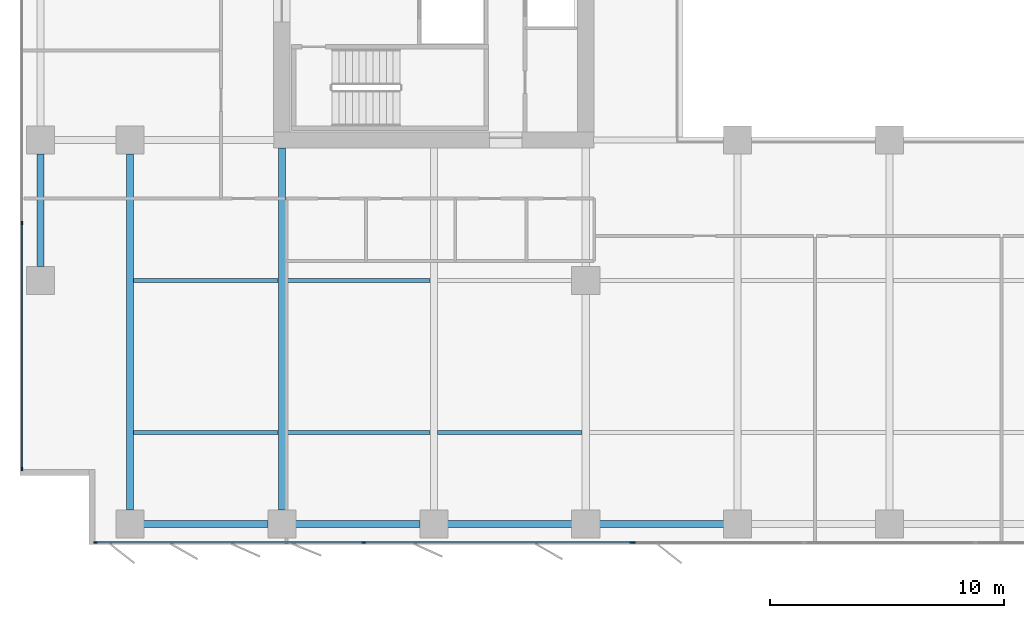
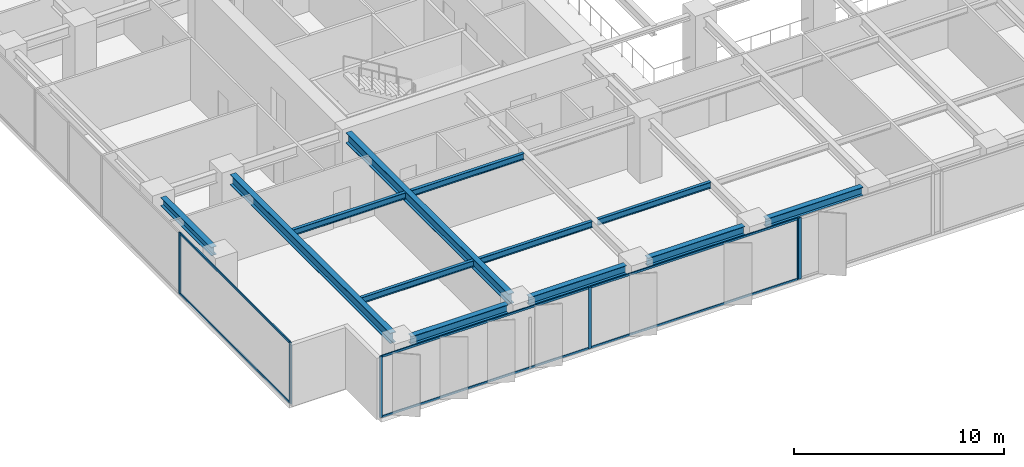
# One storey, part 2 of 20: 12 beams, 12 members, 3 elements without a shape of their own.
"""IFC4 building model written with IfcOpenShell, lengths in metres."""

from ifc_helpers import new_model, si_unit, direction, frame, origin, origin_2d, place, context, subcontext, project, spatial, rectangle, i_section, extrude, material, layer, layer_set, material_profile, profile_set, type_object, element, aggregate, save


model = new_model("IFC4")

# Units and contexts
model_context = context("Model", 3, precision=1e-05, world=origin(), true_north=direction((0.0, 1.0)))
body_context = subcontext(model_context, "Body", "Model", "MODEL_VIEW")
ifc_project = project(units=[si_unit("LENGTHUNIT", "METRE"), si_unit("AREAUNIT", "SQUARE_METRE"), si_unit("VOLUMEUNIT", "CUBIC_METRE"), si_unit("PLANEANGLEUNIT", "RADIAN"), si_unit("MASSUNIT", "GRAM", prefix="KILO")], contexts=[model_context])

# Site, building, storey
site_placement = place(None, origin())
site = spatial("IfcSite", under=ifc_project, at=site_placement, CompositionType="ELEMENT")
building_placement = place(site_placement, origin())
building = spatial("IfcBuilding", under=site, at=building_placement, Name="Putna Gate Headquarters", CompositionType="ELEMENT")
storey_placement = place(building_placement, frame((0.0, 0.0, 116.39990234375)))
storey = spatial("IfcBuildingStorey", under=building, at=storey_placement, Name="L28", CompositionType="ELEMENT", Elevation=116.39990234375)

# Beams
ifc_material_1 = material(Name="Steel S355J2", Category="steel")
ifc_material_profile_1 = material_profile(ifc_material_1, i_section(OverallWidth=0.300048828125, OverallDepth=0.60009765625, WebThickness=0.015380859375, FlangeThickness=0.030029296875, at=origin_2d()), Name="Steel S355J2")
ifc_profile_set_1 = profile_set([ifc_material_profile_1], Name="Steel S355J2")
beam_type_1 = type_object("IfcBeamType", Name="BM-GIRD-Z2-HEB600", PredefinedType="USERDEFINED", material=ifc_profile_set_1)
beam_1_placement = place(storey_placement, frame((6.5, 3.16796875, 3.26513671875), z_axis=(0.0, 1.0, 0.0), x_axis=(-1.0, 0.0, 0.0)))
element("IfcBeam", 1, at=beam_1_placement, inside=storey, type_object=beam_type_1, Name="L28 South Primary Girder X6", ObjectType="GIRDER", PredefinedType="USERDEFINED", context=body_context, shape_type="SweptSolid", body=[
    extrude(i_section(OverallWidth=0.300048828125, OverallDepth=0.60009765625, WebThickness=0.015380859375, FlangeThickness=0.030029296875, at=origin_2d()), origin(), (0.0, 0.0, 1.0), 15.244140625),
])
beam_2_placement = place(storey_placement, frame((13.0, 3.16796875, 3.26513671875), z_axis=(0.0, 1.0, 0.0), x_axis=(-1.0, 0.0, 0.0)))
element("IfcBeam", 2, at=beam_2_placement, inside=storey, type_object=beam_type_1, Name="L28 South Primary Girder X13", ObjectType="GIRDER", PredefinedType="USERDEFINED", context=body_context, shape_type="SweptSolid", body=[
    extrude(i_section(OverallWidth=0.300048828125, OverallDepth=0.60009765625, WebThickness=0.015380859375, FlangeThickness=0.030029296875, at=origin_2d()), origin(), (0.0, 0.0, 1.0), 15.4970703125),
])
ifc_material_profile_2 = material_profile(ifc_material_1, i_section(OverallWidth=0.169921875, OverallDepth=0.360107421875, WebThickness=0.008056640625, FlangeThickness=0.0126953125, at=origin_2d()), Name="Steel S355J2")
ifc_profile_set_2 = profile_set([ifc_material_profile_2], Name="Steel S355J2")
beam_type_2 = type_object("IfcBeamType", Name="BM-SEC-Z2-IPE360", PredefinedType="BEAM", material=ifc_profile_set_2)
for number, where, z_axis, x_axis, name in (
    (3, (6.654052734375, 6.5, 3.385009765625), (1.0, 0.0, 0.0), (0.0, 1.0, 0.0), "L28 South Secondary Beam 1"),
    (4, (6.654052734375, 13.0, 3.385009765625), (1.0, 0.0, 0.0), (0.0, 1.0, 0.0), "L28 South Secondary Beam 1"),
    (5, (13.154052734375, 6.5, 3.385009765625), (1.0, 0.0, 0.0), (0.0, 1.0, 0.0), "L28 South Secondary Beam 2"),
    (6, (13.154052734375, 13.0, 3.385009765625), (1.0, 0.0, 0.0), (0.0, 1.0, 0.0), "L28 South Secondary Beam 2"),
    (7, (19.654052734375, 6.5, 3.385009765625), (1.0, 0.0, 0.0), (0.0, 1.0, 0.0), "L28 South Secondary Beam 3"),
):
    element("IfcBeam", number, at=place(storey_placement, frame(where, z_axis=z_axis, x_axis=x_axis)), inside=storey, type_object=beam_type_2, Name=name, PredefinedType="BEAM", context=body_context, shape_type="SweptSolid", body=[
        extrude(i_section(OverallWidth=0.169921875, OverallDepth=0.360107421875, WebThickness=0.008056640625, FlangeThickness=0.0126953125, at=origin_2d()), origin(), (0.0, 0.0, 1.0), 6.19189453125),
    ])
ifc_material_profile_3 = material_profile(ifc_material_1, i_section(OverallWidth=0.300048828125, OverallDepth=0.489990234375, WebThickness=0.011962890625, FlangeThickness=0.02294921875, at=origin_2d()), Name="Steel S355J2")
ifc_profile_set_3 = profile_set([ifc_material_profile_3], Name="Steel S355J2")
beam_type_3 = type_object("IfcBeamType", Name="BM-SPAN-Z2-HEA500", PredefinedType="SPANDREL", material=ifc_profile_set_3)
for number, where, z_axis, x_axis, name in (
    (8, (7.087890625, 2.580078125, 3.320068359375), (1.0, 0.0, 0.0), (0.0, 1.0, 0.0), "L28 S Perimeter Spandrel 1"),
    (9, (13.587890625, 2.580078125, 3.320068359375), (1.0, 0.0, 0.0), (0.0, 1.0, 0.0), "L28 S Perimeter Spandrel 2"),
    (10, (20.087890625, 2.580078125, 3.320068359375), (1.0, 0.0, 0.0), (0.0, 1.0, 0.0), "L28 S Perimeter Spandrel 3"),
    (11, (26.587890625, 2.580078125, 3.320068359375), (1.0, 0.0, 0.0), (0.0, 1.0, 0.0), "L28 S Perimeter Spandrel 4"),
):
    element("IfcBeam", number, at=place(storey_placement, frame(where, z_axis=z_axis, x_axis=x_axis)), inside=storey, type_object=beam_type_3, Name=name, PredefinedType="SPANDREL", context=body_context, shape_type="SweptSolid", body=[
        extrude(i_section(OverallWidth=0.300048828125, OverallDepth=0.489990234375, WebThickness=0.011962890625, FlangeThickness=0.02294921875, at=origin_2d()), origin(), (0.0, 0.0, 1.0), 5.32421875),
    ])
beam_3_placement = place(storey_placement, frame((2.679931640625, 13.587890625, 3.320068359375), z_axis=(0.0, 1.0, 0.0), x_axis=(-1.0, 0.0, 0.0)))
element("IfcBeam", 12, at=beam_3_placement, inside=storey, type_object=beam_type_3, Name="L28 W End Spandrel 1", PredefinedType="SPANDREL", context=body_context, shape_type="SweptSolid", body=[
    extrude(i_section(OverallWidth=0.300048828125, OverallDepth=0.489990234375, WebThickness=0.011962890625, FlangeThickness=0.02294921875, at=origin_2d()), origin(), (0.0, 0.0, 1.0), 4.82421875),
])

# Curtain wall, members
ifc_material_2 = material(Name="Anodised bronze aluminium curtain wall", Category="aluminium")
ifc_layer_1 = layer(ifc_material_2, 0.159912109375)
ifc_layer_set_1 = layer_set([ifc_layer_1], Name="Anodised bronze aluminium curtain wall")
curtain_wall_type_1 = type_object("IfcCurtainWallType", Name="CW-SYS-Z2", PredefinedType="USERDEFINED", material=ifc_layer_set_1)
curtain_wall_1_placement = place(storey_placement, origin())
curtain_wall_1 = element("IfcCurtainWall", 13, at=curtain_wall_1_placement, inside=storey, type_object=curtain_wall_type_1, Name="L28 South West Curtain Wall", ObjectType="STICK CURTAIN WALL", PredefinedType="USERDEFINED")
ifc_material_3 = material(Name="Anodised bronze aluminium EN AW-6060", Category="aluminium")
ifc_material_profile_4 = material_profile(ifc_material_3, rectangle(XDim=0.06494140625, YDim=0.159912109375, at=origin_2d()), Name="Anodised bronze aluminium EN AW-6060")
ifc_profile_set_4 = profile_set([ifc_material_profile_4], Name="Anodised bronze aluminium EN AW-6060")
member_type_1 = type_object("IfcMemberType", Name="MULL-CWM-2", PredefinedType="MULLION", material=ifc_profile_set_4)
member_1_placement = place(storey_placement, frame((5.032470703125, 1.780029296875, 0.0), z_axis=(0.0, 0.0, 1.0), x_axis=(0.0, 1.0, 0.0)))
member_1 = element("IfcMember", 14, at=member_1_placement, type_object=member_type_1, Name="CWS-2 mullion 1", PredefinedType="MULLION", context=body_context, shape_type="SweptSolid", body=[
    extrude(rectangle(XDim=0.06494140625, YDim=0.159912109375, at=origin_2d()), origin(), (0.0, 0.0, 1.0), 3.565185546875),
])
member_2_placement = place(storey_placement, frame((16.5, 1.780029296875, 0.0), z_axis=(0.0, 0.0, 1.0), x_axis=(0.0, 1.0, 0.0)))
member_2 = element("IfcMember", 15, at=member_2_placement, type_object=member_type_1, Name="CWS-2 mullion 2", PredefinedType="MULLION", context=body_context, shape_type="SweptSolid", body=[
    extrude(rectangle(XDim=0.06494140625, YDim=0.159912109375, at=origin_2d()), origin(), (0.0, 0.0, 1.0), 3.565185546875),
])
member_3_placement = place(storey_placement, frame((27.967529296875, 1.780029296875, 0.0), z_axis=(0.0, 0.0, 1.0), x_axis=(0.0, 1.0, 0.0)))
member_3 = element("IfcMember", 16, at=member_3_placement, type_object=member_type_1, Name="CWS-2 mullion 3", PredefinedType="MULLION", context=body_context, shape_type="SweptSolid", body=[
    extrude(rectangle(XDim=0.06494140625, YDim=0.159912109375, at=origin_2d()), origin(), (0.0, 0.0, 1.0), 3.565185546875),
])

curtain_wall_2_placement = place(storey_placement, origin())
curtain_wall_2 = element("IfcCurtainWall", 17, at=curtain_wall_2_placement, inside=storey, type_object=curtain_wall_type_1, Name="L28 West Curtain Wall", ObjectType="STICK CURTAIN WALL", PredefinedType="USERDEFINED")
member_4_placement = place(storey_placement, frame((1.8798828125, 4.9326171875, 0.0), z_axis=(0.0, 0.0, 1.0), x_axis=(-1.0, 0.0, 0.0)))
member_4 = element("IfcMember", 18, at=member_4_placement, type_object=member_type_1, Name="CWS-2 mullion 1", PredefinedType="MULLION", context=body_context, shape_type="SweptSolid", body=[
    extrude(rectangle(XDim=0.06494140625, YDim=0.159912109375, at=origin_2d()), origin(), (0.0, 0.0, 1.0), 3.565185546875),
])
member_5_placement = place(storey_placement, frame((1.8798828125, 15.449951171875, 0.0), z_axis=(0.0, 0.0, 1.0), x_axis=(-1.0, 0.0, 0.0)))
member_5 = element("IfcMember", 19, at=member_5_placement, type_object=member_type_1, Name="CWS-2 mullion 2", PredefinedType="MULLION", context=body_context, shape_type="SweptSolid", body=[
    extrude(rectangle(XDim=0.06494140625, YDim=0.159912109375, at=origin_2d()), origin(), (0.0, 0.0, 1.0), 3.565185546875),
])

# Curtain wall, member
ifc_layer_2 = layer(ifc_material_2, 0.179931640625)
ifc_layer_set_2 = layer_set([ifc_layer_2], Name="Anodised bronze aluminium curtain wall")
curtain_wall_type_2 = type_object("IfcCurtainWallType", Name="CW-SYS-ATR", PredefinedType="USERDEFINED", material=ifc_layer_set_2)
curtain_wall_3_placement = place(storey_placement, origin())
curtain_wall_3 = element("IfcCurtainWall", 20, at=curtain_wall_3_placement, inside=storey, type_object=curtain_wall_type_2, Name="L28 South Atrium Clear Glazing", ObjectType="ATRIUM GLAZING", PredefinedType="USERDEFINED")
ifc_material_profile_5 = material_profile(ifc_material_3, rectangle(XDim=0.070068359375, YDim=0.179931640625, at=origin_2d()), Name="Anodised bronze aluminium EN AW-6060")
ifc_profile_set_5 = profile_set([ifc_material_profile_5], Name="Anodised bronze aluminium EN AW-6060")
member_type_2 = type_object("IfcMemberType", Name="MULL-CWM-AT", PredefinedType="MULLION", material=ifc_profile_set_5)
member_6_placement = place(storey_placement, frame((28.034912109375, 1.780029296875, 0.0), z_axis=(0.0, 0.0, 1.0), x_axis=(0.0, 1.0, 0.0)))
member_6 = element("IfcMember", 21, at=member_6_placement, type_object=member_type_2, Name="CWS-AT mullion 1", PredefinedType="MULLION", context=body_context, shape_type="SweptSolid", body=[
    extrude(rectangle(XDim=0.070068359375, YDim=0.179931640625, at=origin_2d()), origin(), (0.0, 0.0, 1.0), 3.565185546875),
])
aggregate(curtain_wall_3, [member_6])

# Member
ifc_material_profile_6 = material_profile(ifc_material_3, rectangle(XDim=0.06494140625, YDim=0.1201171875, at=origin_2d()), Name="Anodised bronze aluminium EN AW-6060")
ifc_profile_set_6 = profile_set([ifc_material_profile_6], Name="Anodised bronze aluminium EN AW-6060")
member_type_3 = type_object("IfcMemberType", Name="TRAN-CWT-2", PredefinedType="USERDEFINED", material=ifc_profile_set_6)
member_7_placement = place(storey_placement, frame((5.06494140625, 1.780029296875, 0.03271484375), z_axis=(1.0, 0.0, 0.0), x_axis=(0.0, 1.0, 0.0)))
member_7 = element("IfcMember", 22, at=member_7_placement, type_object=member_type_3, Name="CWS-2 transom 1.1", ObjectType="TRANSOM", PredefinedType="USERDEFINED", context=body_context, shape_type="SweptSolid", body=[
    extrude(rectangle(XDim=0.06494140625, YDim=0.1201171875, at=origin_2d()), origin(), (0.0, 0.0, 1.0), 11.402587890625),
])

member_8_placement = place(storey_placement, frame((5.06494140625, 1.780029296875, 3.53271484375), z_axis=(1.0, 0.0, 0.0), x_axis=(0.0, 1.0, 0.0)))
member_8 = element("IfcMember", 23, at=member_8_placement, type_object=member_type_3, Name="CWS-2 transom 1.2", ObjectType="TRANSOM", PredefinedType="USERDEFINED", context=body_context, shape_type="SweptSolid", body=[
    extrude(rectangle(XDim=0.06494140625, YDim=0.1201171875, at=origin_2d()), origin(), (0.0, 0.0, 1.0), 11.402587890625),
])

member_9_placement = place(storey_placement, frame((16.532470703125, 1.780029296875, 0.03271484375), z_axis=(1.0, 0.0, 0.0), x_axis=(0.0, 1.0, 0.0)))
member_9 = element("IfcMember", 24, at=member_9_placement, type_object=member_type_3, Name="CWS-2 transom 2.1", ObjectType="TRANSOM", PredefinedType="USERDEFINED", context=body_context, shape_type="SweptSolid", body=[
    extrude(rectangle(XDim=0.06494140625, YDim=0.1201171875, at=origin_2d()), origin(), (0.0, 0.0, 1.0), 11.402587890625),
])

member_10_placement = place(storey_placement, frame((16.532470703125, 1.780029296875, 3.53271484375), z_axis=(1.0, 0.0, 0.0), x_axis=(0.0, 1.0, 0.0)))
member_10 = element("IfcMember", 25, at=member_10_placement, type_object=member_type_3, Name="CWS-2 transom 2.2", ObjectType="TRANSOM", PredefinedType="USERDEFINED", context=body_context, shape_type="SweptSolid", body=[
    extrude(rectangle(XDim=0.06494140625, YDim=0.1201171875, at=origin_2d()), origin(), (0.0, 0.0, 1.0), 11.402587890625),
])

aggregate(curtain_wall_1, [member_1, member_2, member_3, member_7, member_8, member_9, member_10])

member_11_placement = place(storey_placement, frame((1.8798828125, 4.965087890625, 0.03271484375), z_axis=(0.0, 1.0, 0.0), x_axis=(-1.0, 0.0, 0.0)))
member_11 = element("IfcMember", 26, at=member_11_placement, type_object=member_type_3, Name="CWS-2 transom 1.1", ObjectType="TRANSOM", PredefinedType="USERDEFINED", context=body_context, shape_type="SweptSolid", body=[
    extrude(rectangle(XDim=0.06494140625, YDim=0.1201171875, at=origin_2d()), origin(), (0.0, 0.0, 1.0), 10.452392578125),
])

member_12_placement = place(storey_placement, frame((1.8798828125, 4.965087890625, 3.53271484375), z_axis=(0.0, 1.0, 0.0), x_axis=(-1.0, 0.0, 0.0)))
member_12 = element("IfcMember", 27, at=member_12_placement, type_object=member_type_3, Name="CWS-2 transom 1.2", ObjectType="TRANSOM", PredefinedType="USERDEFINED", context=body_context, shape_type="SweptSolid", body=[
    extrude(rectangle(XDim=0.06494140625, YDim=0.1201171875, at=origin_2d()), origin(), (0.0, 0.0, 1.0), 10.452392578125),
])

aggregate(curtain_wall_2, [member_4, member_5, member_11, member_12])

save(model, "model.ifc")
